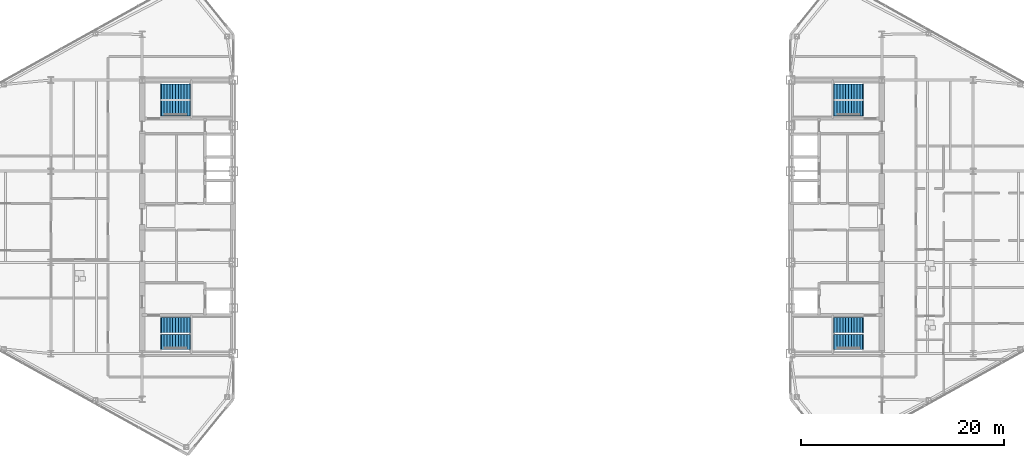
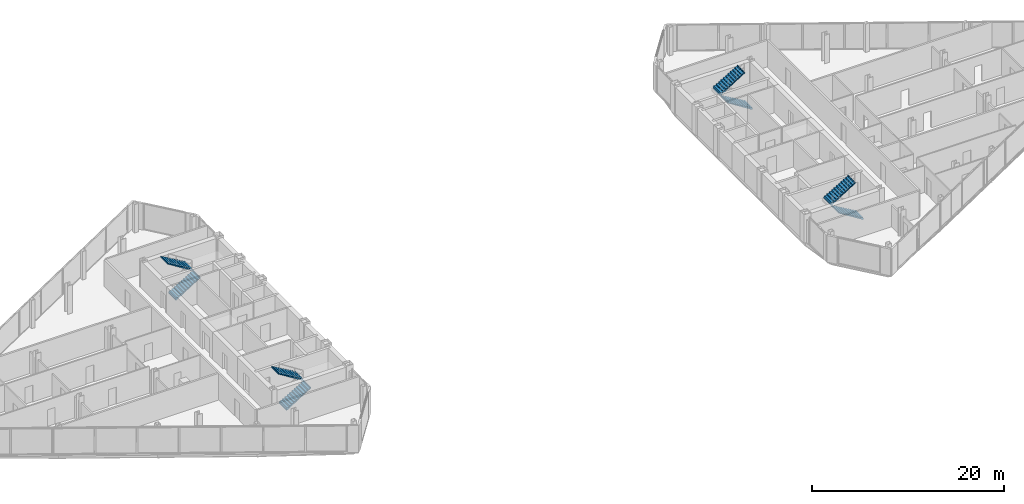
# One storey, part 24 of 26: 8 stair flights, 4 elements without a shape of their own.
"""IFC4 building model written with IfcOpenShell, lengths in metres."""

from ifc_helpers import new_model, si_unit, direction, frame, origin, place, context, subcontext, project, spatial, polyline, outline, extrude, material, type_object, element, aggregate, save


model = new_model("IFC4")

# Units and contexts
model_context = context("Model", 3, precision=1e-05, world=origin(), true_north=direction((0.0, 1.0)))
body_context = subcontext(model_context, "Body", "Model", "MODEL_VIEW")
ifc_project = project(units=[si_unit("LENGTHUNIT", "METRE"), si_unit("AREAUNIT", "SQUARE_METRE"), si_unit("VOLUMEUNIT", "CUBIC_METRE"), si_unit("PLANEANGLEUNIT", "RADIAN"), si_unit("MASSUNIT", "GRAM", prefix="KILO")], contexts=[model_context])

# Site, building, storey
site_placement = place(None, origin())
site = spatial("IfcSite", under=ifc_project, at=site_placement, CompositionType="ELEMENT")
building_placement = place(site_placement, origin())
building = spatial("IfcBuilding", under=site, at=building_placement, Name="Seokmaru Belvedere", CompositionType="ELEMENT")
storey_placement = place(building_placement, frame((0.0, 0.0, 170.699951171875)))
storey = spatial("IfcBuildingStorey", under=building, at=storey_placement, Name="L45", CompositionType="ELEMENT", Elevation=170.699951171875)

# Stair, stair flights
ifc_material = material(Name="Concrete C40 (40 MPa)", Category="concrete")
stair_type = type_object("IfcStairType", Name="Typical Tower Core Dog-Leg Stair 3600", PredefinedType="TWO_STRAIGHT_RUN_STAIR", material=ifc_material)
stair_1_placement = place(storey_placement, origin())
stair_1 = element("IfcStair", 1, at=stair_1_placement, inside=storey, type_object=stair_type, Name="L45 Special Escape Stair ST-W1", PredefinedType="TWO_STRAIGHT_RUN_STAIR")
stair_flight_type = type_object("IfcStairFlightType", Name="Reinforced Concrete Stair Flight 1500", PredefinedType="STRAIGHT", material=ifc_material)
stair_flight_1_placement = place(storey_placement, frame((-34.60009765625, -12.35009765625, 0.0), z_axis=(0.0, 0.0, 1.0), x_axis=(1.0, 0.0, 0.0)))
stair_flight_1 = element("IfcStairFlight", 2, at=stair_flight_1_placement, type_object=stair_flight_type, Name="ST-W1 flight 1", NumberOfRisers=11, NumberOfTreads=10, PredefinedType="STRAIGHT", RiserHeight=0.163636364, TreadLength=0.28, context=body_context, shape_type="SweptSolid", body=[
    extrude(outline(polyline([(-0.080078125, 0.0), (0.0, 0.16357421875), (0.280029296875, 0.16357421875), (0.280029296875, 0.327392578125), (0.56005859375, 0.327392578125), (0.56005859375, 0.490966796875), (0.840087890625, 0.490966796875), (0.840087890625, 0.654541015625), (1.1201171875, 0.654541015625), (1.1201171875, 0.818115234375), (1.39990234375, 0.818115234375), (1.39990234375, 0.98193359375), (1.679931640625, 0.98193359375), (1.679931640625, 1.1455078125), (1.9599609375, 1.1455078125), (1.9599609375, 1.30908203125), (2.239990234375, 1.30908203125), (2.239990234375, 1.47265625), (2.52001953125, 1.47265625), (2.52001953125, 1.636474609375), (2.800048828125, 1.636474609375), (2.800048828125, 1.800048828125), (2.8798828125, 1.800048828125), (2.8798828125, 1.610107421875), (2.800048828125, 1.610107421875), (0.0, -0.159912109375), (-0.080078125, -0.159912109375), (-0.080078125, 0.0)])), frame((0.0, 0.75, 0.0), z_axis=(0.0, -1.0, 0.0), x_axis=(1.0, 0.0, 0.0)), (0.0, 0.0, 1.0), 1.5),
])
stair_flight_2_placement = place(storey_placement, frame((-31.800048828125, -10.7099609375, 1.800048828125), z_axis=(0.0, 0.0, 1.0), x_axis=(-1.0, 0.0, 0.0)))
stair_flight_2 = element("IfcStairFlight", 3, at=stair_flight_2_placement, type_object=stair_flight_type, Name="ST-W1 flight 2", NumberOfRisers=11, NumberOfTreads=10, PredefinedType="STRAIGHT", RiserHeight=0.163636364, TreadLength=0.28, context=body_context, shape_type="SweptSolid", body=[
    extrude(outline(polyline([(-0.080078125, 0.0), (0.0, 0.16357421875), (0.280029296875, 0.16357421875), (0.280029296875, 0.327392578125), (0.56005859375, 0.327392578125), (0.56005859375, 0.490966796875), (0.840087890625, 0.490966796875), (0.840087890625, 0.654541015625), (1.1201171875, 0.654541015625), (1.1201171875, 0.818115234375), (1.39990234375, 0.818115234375), (1.39990234375, 0.98193359375), (1.679931640625, 0.98193359375), (1.679931640625, 1.1455078125), (1.9599609375, 1.1455078125), (1.9599609375, 1.30908203125), (2.239990234375, 1.30908203125), (2.239990234375, 1.47265625), (2.52001953125, 1.47265625), (2.52001953125, 1.636474609375), (2.800048828125, 1.636474609375), (2.800048828125, 1.800048828125), (2.8798828125, 1.800048828125), (2.8798828125, 1.610107421875), (2.800048828125, 1.610107421875), (0.0, -0.159912109375), (-0.080078125, -0.159912109375), (-0.080078125, 0.0)])), frame((0.0, 0.75, 0.0), z_axis=(0.0, -1.0, 0.0), x_axis=(1.0, 0.0, 0.0)), (0.0, 0.0, 1.0), 1.5),
])
aggregate(stair_1, [stair_flight_1, stair_flight_2])

stair_2_placement = place(storey_placement, origin())
stair_2 = element("IfcStair", 4, at=stair_2_placement, inside=storey, type_object=stair_type, Name="L45 Special Escape Stair ST-W2", PredefinedType="TWO_STRAIGHT_RUN_STAIR")
stair_flight_3_placement = place(storey_placement, frame((-34.60009765625, 10.7099609375, 0.0), z_axis=(0.0, 0.0, 1.0), x_axis=(1.0, 0.0, 0.0)))
stair_flight_3 = element("IfcStairFlight", 5, at=stair_flight_3_placement, type_object=stair_flight_type, Name="ST-W2 flight 1", NumberOfRisers=11, NumberOfTreads=10, PredefinedType="STRAIGHT", RiserHeight=0.163636364, TreadLength=0.28, context=body_context, shape_type="SweptSolid", body=[
    extrude(outline(polyline([(-0.080078125, 0.0), (0.0, 0.16357421875), (0.280029296875, 0.16357421875), (0.280029296875, 0.327392578125), (0.56005859375, 0.327392578125), (0.56005859375, 0.490966796875), (0.840087890625, 0.490966796875), (0.840087890625, 0.654541015625), (1.1201171875, 0.654541015625), (1.1201171875, 0.818115234375), (1.39990234375, 0.818115234375), (1.39990234375, 0.98193359375), (1.679931640625, 0.98193359375), (1.679931640625, 1.1455078125), (1.9599609375, 1.1455078125), (1.9599609375, 1.30908203125), (2.239990234375, 1.30908203125), (2.239990234375, 1.47265625), (2.52001953125, 1.47265625), (2.52001953125, 1.636474609375), (2.800048828125, 1.636474609375), (2.800048828125, 1.800048828125), (2.8798828125, 1.800048828125), (2.8798828125, 1.610107421875), (2.800048828125, 1.610107421875), (0.0, -0.159912109375), (-0.080078125, -0.159912109375), (-0.080078125, 0.0)])), frame((0.0, 0.75, 0.0), z_axis=(0.0, -1.0, 0.0), x_axis=(1.0, 0.0, 0.0)), (0.0, 0.0, 1.0), 1.5),
])
stair_flight_4_placement = place(storey_placement, frame((-31.800048828125, 12.35009765625, 1.800048828125), z_axis=(0.0, 0.0, 1.0), x_axis=(-1.0, 0.0, 0.0)))
stair_flight_4 = element("IfcStairFlight", 6, at=stair_flight_4_placement, type_object=stair_flight_type, Name="ST-W2 flight 2", NumberOfRisers=11, NumberOfTreads=10, PredefinedType="STRAIGHT", RiserHeight=0.163636364, TreadLength=0.28, context=body_context, shape_type="SweptSolid", body=[
    extrude(outline(polyline([(-0.080078125, 0.0), (0.0, 0.16357421875), (0.280029296875, 0.16357421875), (0.280029296875, 0.327392578125), (0.56005859375, 0.327392578125), (0.56005859375, 0.490966796875), (0.840087890625, 0.490966796875), (0.840087890625, 0.654541015625), (1.1201171875, 0.654541015625), (1.1201171875, 0.818115234375), (1.39990234375, 0.818115234375), (1.39990234375, 0.98193359375), (1.679931640625, 0.98193359375), (1.679931640625, 1.1455078125), (1.9599609375, 1.1455078125), (1.9599609375, 1.30908203125), (2.239990234375, 1.30908203125), (2.239990234375, 1.47265625), (2.52001953125, 1.47265625), (2.52001953125, 1.636474609375), (2.800048828125, 1.636474609375), (2.800048828125, 1.800048828125), (2.8798828125, 1.800048828125), (2.8798828125, 1.610107421875), (2.800048828125, 1.610107421875), (0.0, -0.159912109375), (-0.080078125, -0.159912109375), (-0.080078125, 0.0)])), frame((0.0, 0.75, 0.0), z_axis=(0.0, -1.0, 0.0), x_axis=(1.0, 0.0, 0.0)), (0.0, 0.0, 1.0), 1.5),
])
aggregate(stair_2, [stair_flight_3, stair_flight_4])

stair_3_placement = place(storey_placement, origin())
stair_3 = element("IfcStair", 7, at=stair_3_placement, inside=storey, type_object=stair_type, Name="L45 Special Escape Stair ST-E1", PredefinedType="TWO_STRAIGHT_RUN_STAIR")
stair_flight_5_placement = place(storey_placement, frame((34.60009765625, -12.35009765625, 0.0), z_axis=(0.0, 0.0, 1.0), x_axis=(-1.0, 0.0, 0.0)))
stair_flight_5 = element("IfcStairFlight", 8, at=stair_flight_5_placement, type_object=stair_flight_type, Name="ST-E1 flight 1", NumberOfRisers=11, NumberOfTreads=10, PredefinedType="STRAIGHT", RiserHeight=0.163636364, TreadLength=0.28, context=body_context, shape_type="SweptSolid", body=[
    extrude(outline(polyline([(-0.080078125, 0.0), (0.0, 0.16357421875), (0.280029296875, 0.16357421875), (0.280029296875, 0.327392578125), (0.56005859375, 0.327392578125), (0.56005859375, 0.490966796875), (0.840087890625, 0.490966796875), (0.840087890625, 0.654541015625), (1.1201171875, 0.654541015625), (1.1201171875, 0.818115234375), (1.39990234375, 0.818115234375), (1.39990234375, 0.98193359375), (1.679931640625, 0.98193359375), (1.679931640625, 1.1455078125), (1.9599609375, 1.1455078125), (1.9599609375, 1.30908203125), (2.239990234375, 1.30908203125), (2.239990234375, 1.47265625), (2.52001953125, 1.47265625), (2.52001953125, 1.636474609375), (2.800048828125, 1.636474609375), (2.800048828125, 1.800048828125), (2.8798828125, 1.800048828125), (2.8798828125, 1.610107421875), (2.800048828125, 1.610107421875), (0.0, -0.159912109375), (-0.080078125, -0.159912109375), (-0.080078125, 0.0)])), frame((0.0, 0.75, 0.0), z_axis=(0.0, -1.0, 0.0), x_axis=(1.0, 0.0, 0.0)), (0.0, 0.0, 1.0), 1.5),
])
stair_flight_6_placement = place(storey_placement, frame((31.800048828125, -10.7099609375, 1.800048828125), z_axis=(0.0, 0.0, 1.0), x_axis=(1.0, 0.0, 0.0)))
stair_flight_6 = element("IfcStairFlight", 9, at=stair_flight_6_placement, type_object=stair_flight_type, Name="ST-E1 flight 2", NumberOfRisers=11, NumberOfTreads=10, PredefinedType="STRAIGHT", RiserHeight=0.163636364, TreadLength=0.28, context=body_context, shape_type="SweptSolid", body=[
    extrude(outline(polyline([(-0.080078125, 0.0), (0.0, 0.16357421875), (0.280029296875, 0.16357421875), (0.280029296875, 0.327392578125), (0.56005859375, 0.327392578125), (0.56005859375, 0.490966796875), (0.840087890625, 0.490966796875), (0.840087890625, 0.654541015625), (1.1201171875, 0.654541015625), (1.1201171875, 0.818115234375), (1.39990234375, 0.818115234375), (1.39990234375, 0.98193359375), (1.679931640625, 0.98193359375), (1.679931640625, 1.1455078125), (1.9599609375, 1.1455078125), (1.9599609375, 1.30908203125), (2.239990234375, 1.30908203125), (2.239990234375, 1.47265625), (2.52001953125, 1.47265625), (2.52001953125, 1.636474609375), (2.800048828125, 1.636474609375), (2.800048828125, 1.800048828125), (2.8798828125, 1.800048828125), (2.8798828125, 1.610107421875), (2.800048828125, 1.610107421875), (0.0, -0.159912109375), (-0.080078125, -0.159912109375), (-0.080078125, 0.0)])), frame((0.0, 0.75, 0.0), z_axis=(0.0, -1.0, 0.0), x_axis=(1.0, 0.0, 0.0)), (0.0, 0.0, 1.0), 1.5),
])
aggregate(stair_3, [stair_flight_5, stair_flight_6])

stair_4_placement = place(storey_placement, origin())
stair_4 = element("IfcStair", 10, at=stair_4_placement, inside=storey, type_object=stair_type, Name="L45 Special Escape Stair ST-E2", PredefinedType="TWO_STRAIGHT_RUN_STAIR")
stair_flight_7_placement = place(storey_placement, frame((34.60009765625, 10.7099609375, 0.0), z_axis=(0.0, 0.0, 1.0), x_axis=(-1.0, 0.0, 0.0)))
stair_flight_7 = element("IfcStairFlight", 11, at=stair_flight_7_placement, type_object=stair_flight_type, Name="ST-E2 flight 1", NumberOfRisers=11, NumberOfTreads=10, PredefinedType="STRAIGHT", RiserHeight=0.163636364, TreadLength=0.28, context=body_context, shape_type="SweptSolid", body=[
    extrude(outline(polyline([(-0.080078125, 0.0), (0.0, 0.16357421875), (0.280029296875, 0.16357421875), (0.280029296875, 0.327392578125), (0.56005859375, 0.327392578125), (0.56005859375, 0.490966796875), (0.840087890625, 0.490966796875), (0.840087890625, 0.654541015625), (1.1201171875, 0.654541015625), (1.1201171875, 0.818115234375), (1.39990234375, 0.818115234375), (1.39990234375, 0.98193359375), (1.679931640625, 0.98193359375), (1.679931640625, 1.1455078125), (1.9599609375, 1.1455078125), (1.9599609375, 1.30908203125), (2.239990234375, 1.30908203125), (2.239990234375, 1.47265625), (2.52001953125, 1.47265625), (2.52001953125, 1.636474609375), (2.800048828125, 1.636474609375), (2.800048828125, 1.800048828125), (2.8798828125, 1.800048828125), (2.8798828125, 1.610107421875), (2.800048828125, 1.610107421875), (0.0, -0.159912109375), (-0.080078125, -0.159912109375), (-0.080078125, 0.0)])), frame((0.0, 0.75, 0.0), z_axis=(0.0, -1.0, 0.0), x_axis=(1.0, 0.0, 0.0)), (0.0, 0.0, 1.0), 1.5),
])
stair_flight_8_placement = place(storey_placement, frame((31.800048828125, 12.35009765625, 1.800048828125), z_axis=(0.0, 0.0, 1.0), x_axis=(1.0, 0.0, 0.0)))
stair_flight_8 = element("IfcStairFlight", 12, at=stair_flight_8_placement, type_object=stair_flight_type, Name="ST-E2 flight 2", NumberOfRisers=11, NumberOfTreads=10, PredefinedType="STRAIGHT", RiserHeight=0.163636364, TreadLength=0.28, context=body_context, shape_type="SweptSolid", body=[
    extrude(outline(polyline([(-0.080078125, 0.0), (0.0, 0.16357421875), (0.280029296875, 0.16357421875), (0.280029296875, 0.327392578125), (0.56005859375, 0.327392578125), (0.56005859375, 0.490966796875), (0.840087890625, 0.490966796875), (0.840087890625, 0.654541015625), (1.1201171875, 0.654541015625), (1.1201171875, 0.818115234375), (1.39990234375, 0.818115234375), (1.39990234375, 0.98193359375), (1.679931640625, 0.98193359375), (1.679931640625, 1.1455078125), (1.9599609375, 1.1455078125), (1.9599609375, 1.30908203125), (2.239990234375, 1.30908203125), (2.239990234375, 1.47265625), (2.52001953125, 1.47265625), (2.52001953125, 1.636474609375), (2.800048828125, 1.636474609375), (2.800048828125, 1.800048828125), (2.8798828125, 1.800048828125), (2.8798828125, 1.610107421875), (2.800048828125, 1.610107421875), (0.0, -0.159912109375), (-0.080078125, -0.159912109375), (-0.080078125, 0.0)])), frame((0.0, 0.75, 0.0), z_axis=(0.0, -1.0, 0.0), x_axis=(1.0, 0.0, 0.0)), (0.0, 0.0, 1.0), 1.5),
])
aggregate(stair_4, [stair_flight_7, stair_flight_8])

save(model, "model.ifc")
